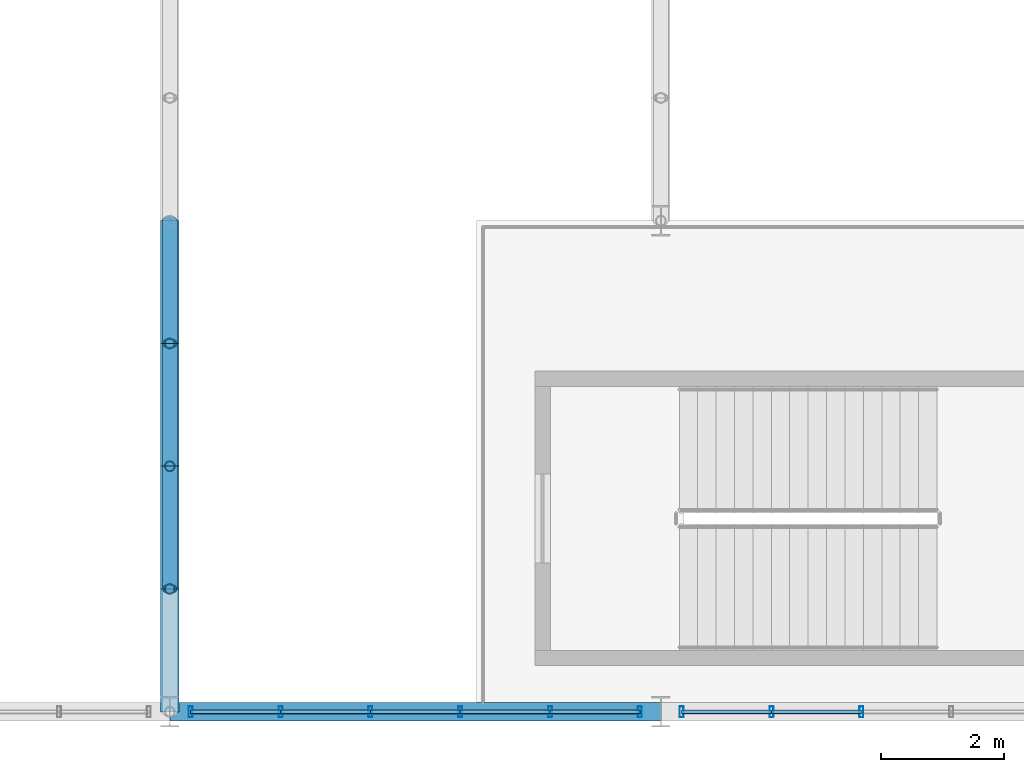
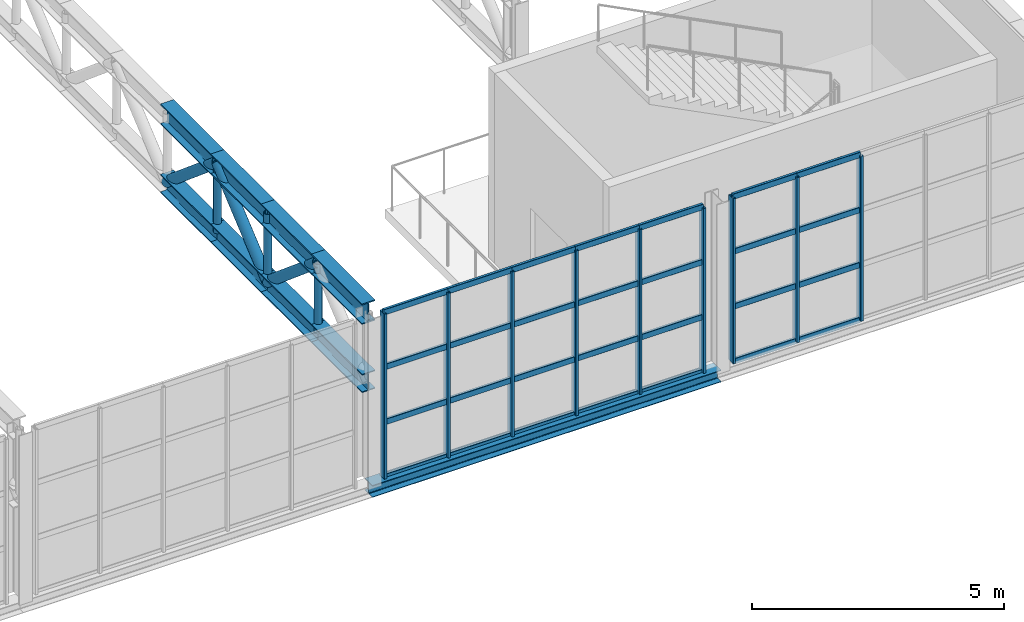
# One storey, part 21 of 67: 51 members, 1 beam, 2 elements without a shape of their own.
"""IFC4 building model written with IfcOpenShell, lengths in metres."""

import ifcopenshell
import ifcopenshell.guid

model = None  # the IFC model being written
_history = None  # IfcOwnerHistory: only IFC2X3 demands one
_inside = {}  # id of a spatial element -> (the spatial element, [elements in it])
_under = {}  # id of a project, library or spatial element -> (it, [spatial elements below it])
_declared = {}  # id of a project -> (the project, [libraries it declares])
_typed = {}  # id of a type object -> (the type object, [elements of that type])
_made_of = {}  # id of a material, layer set ... -> (it, [elements and type objects made of it])


def new_model(schema):
    """Start an empty IFC model of exactly this schema.

    Asked for "IFC4X3", IfcOpenShell would pick the latest addendum, in which some entities
    have other attributes; the version numbers below select the first issue.
    IFC2X3 requires an IfcOwnerHistory on every rooted entity: one is made here for all.
    """
    global model, _history
    if schema == "IFC4X3":
        model = ifcopenshell.file(schema_version=(4, 3, 0, 0))
    else:
        model = ifcopenshell.file(schema=schema)
    _inside.clear()
    _under.clear()
    _declared.clear()
    _typed.clear()
    _made_of.clear()
    _history = None
    if model.schema == "IFC2X3":
        org = make("IfcOrganization", Name="unknown")
        user = make(
            "IfcPersonAndOrganization",
            ThePerson=make("IfcPerson", FamilyName="unknown"),
            TheOrganization=org,
        )
        app = make(
            "IfcApplication",
            ApplicationDeveloper=org,
            Version="unknown",
            ApplicationFullName="unknown",
            ApplicationIdentifier="unknown",
        )
        _history = make(
            "IfcOwnerHistory",
            OwningUser=user,
            OwningApplication=app,
            ChangeAction="ADDED",
            CreationDate=0,
        )
    return model


def make(cls, **values):
    """One entity of the class cls with the attributes given. An attribute that is None is left unset."""
    return model.create_entity(
        cls, **{name: value for name, value in values.items() if value is not None}
    )


def rooted(cls, **values):
    """An entity with a GlobalId (a new one), such as an element, a storey or a relation."""
    return make(cls, GlobalId=ifcopenshell.guid.new(), OwnerHistory=_history, **values)


def si_unit(unit_type, name, prefix=None):
    """IfcSIUnit, for example si_unit("LENGTHUNIT", "METRE", prefix="MILLI")."""
    return make("IfcSIUnit", UnitType=unit_type, Prefix=prefix, Name=name)


def derived_unit(unit_type, elements):
    """IfcDerivedUnit: a product of units, each with its exponent."""
    return make(
        "IfcDerivedUnit",
        Elements=[
            make("IfcDerivedUnitElement", Unit=unit, Exponent=power)
            for unit, power in elements
        ],
        UnitType=unit_type,
    )


def assignment(units):
    """IfcUnitAssignment: the units of a project."""
    return None if units is None else make("IfcUnitAssignment", Units=units)


def point(xyz):
    """IfcCartesianPoint."""
    return None if xyz is None else make("IfcCartesianPoint", Coordinates=xyz)


def direction(xyz):
    """IfcDirection."""
    return None if xyz is None else make("IfcDirection", DirectionRatios=xyz)


def frame(location, z_axis=None, x_axis=None):
    """IfcAxis2Placement3D, a coordinate frame: its origin and axes. An axis left out is left unset."""
    return make(
        "IfcAxis2Placement3D",
        Location=point(location),
        Axis=direction(z_axis),
        RefDirection=direction(x_axis),
    )


def frame_2d(location, x_axis=None):
    """IfcAxis2Placement2D, a coordinate frame in the plane: its origin and x axis."""
    return make(
        "IfcAxis2Placement2D", Location=point(location), RefDirection=direction(x_axis)
    )


def origin():
    """The frame at (0, 0, 0) with its axes left unset."""
    return frame((0.0, 0.0, 0.0))


def origin_2d():
    """The frame at (0, 0) in the plane with its x axis left unset."""
    return frame_2d((0.0, 0.0))


def place(relative_to, where):
    """IfcLocalPlacement: puts the frame where relative to a parent placement (None: the world)."""
    return make(
        "IfcLocalPlacement", PlacementRelTo=relative_to, RelativePlacement=where
    )


def context(
    kind, dimensions, precision=None, world=None, true_north=None, identifier=None
):
    """IfcGeometricRepresentationContext, for example the 3D "Model" context."""
    return make(
        "IfcGeometricRepresentationContext",
        ContextIdentifier=identifier,
        ContextType=kind,
        CoordinateSpaceDimension=dimensions,
        Precision=precision,
        WorldCoordinateSystem=world,
        TrueNorth=true_north,
    )


def subcontext(parent, identifier, kind, view, scale=None):
    """IfcGeometricRepresentationSubContext, for example "Body" below "Model"."""
    return make(
        "IfcGeometricRepresentationSubContext",
        ContextIdentifier=identifier,
        ContextType=kind,
        ParentContext=parent,
        TargetScale=scale,
        TargetView=view,
    )


def project(units=None, contexts=None):
    """IfcProject with its units and contexts."""
    return rooted(
        "IfcProject",
        Name="project",
        RepresentationContexts=contexts,
        UnitsInContext=assignment(units),
    )


def spatial(cls, under=None, at=None, **own):
    """A site, building, storey or space (cls), placed at a placement, below another one or the project."""
    s = rooted(cls, ObjectPlacement=at, **own)
    if under is not None:
        _under.setdefault(under.id(), (under, []))[1].append(s)
    return s


def profile(cls, at=None, kind="AREA", **sizes):
    """A parametric profile (cls). Its sizes go by their IFC names, for example OverallWidth=200.0."""
    return make(cls, ProfileType=kind, Position=at, **sizes)


def hollow_rectangle(**sizes):
    """IfcRectangleHollowProfileDef."""
    return profile("IfcRectangleHollowProfileDef", **sizes)


def hollow_circle(**sizes):
    """IfcCircleHollowProfileDef."""
    return profile("IfcCircleHollowProfileDef", **sizes)


def i_section(**sizes):
    """IfcIShapeProfileDef."""
    return profile("IfcIShapeProfileDef", **sizes)


def extrude(swept, where, along, depth):
    """IfcExtrudedAreaSolid: the profile swept, set in the frame where, extruded along a direction by depth."""
    return make(
        "IfcExtrudedAreaSolid",
        SweptArea=swept,
        Position=where,
        ExtrudedDirection=direction(along),
        Depth=depth,
    )


def shape(context_of_items, identifier, shape_type, items):
    """IfcShapeRepresentation: the items that make up one representation, for example the "Body"."""
    return make(
        "IfcShapeRepresentation",
        ContextOfItems=context_of_items,
        RepresentationIdentifier=identifier,
        RepresentationType=shape_type,
        Items=items,
    )


def material(Name=None, Category=None):
    """IfcMaterial."""
    return make("IfcMaterial", Name=Name, Category=Category)


def material_profile(
    of_material, cross_section, Name=None, Category=None, Priority=None
):
    """IfcMaterialProfile: a cross section and its material."""
    return make(
        "IfcMaterialProfile",
        Name=Name,
        Material=of_material,
        Profile=cross_section,
        Priority=Priority,
        Category=Category,
    )


def profile_set(profiles, Name=None, composite=None):
    """IfcMaterialProfileSet."""
    return make(
        "IfcMaterialProfileSet",
        Name=Name,
        MaterialProfiles=profiles,
        CompositeProfile=composite,
    )


def made_of(thing, what):
    """Note that an element or type object is made of a material, layer set ...; save() writes the relation."""
    if what is not None:
        _made_of.setdefault(what.id(), (what, []))[1].append(thing)
    return thing


def type_object(cls, material=None, **own):
    """A type object (cls), such as IfcWallType, which elements share."""
    return made_of(rooted(cls, **own), material)


def element(
    cls,
    number,
    at=None,
    inside=None,
    cuts=None,
    type_object=None,
    material=None,
    context=None,
    identifier="Body",
    shape_type=None,
    held_by="IfcProductDefinitionShape",
    body=None,
    shapes=None,
    **own,
):
    """One element of the class cls, such as IfcWall. Its Tag is "e" and its number.

    at: its placement. inside: the storey or other place that contains it. cuts: it is an
    opening in that element (IfcRelVoidsElement). A single representation is given by context,
    identifier, shape_type and body (its items); several are given by shapes. held_by: the class
    of the entity that holds the representations. save() writes the other relations.
    """
    e = rooted(cls, Tag="e%d" % number, ObjectPlacement=at, **own)
    if body is not None:
        shapes = [shape(context, identifier, shape_type, body)]
    if shapes is not None:
        e.Representation = make(held_by, Representations=shapes)
    if inside is not None:
        _inside.setdefault(inside.id(), (inside, []))[1].append(e)
    if cuts is not None:
        rooted(
            "IfcRelVoidsElement", RelatingBuildingElement=cuts, RelatedOpeningElement=e
        )
    if type_object is not None:
        _typed.setdefault(type_object.id(), (type_object, []))[1].append(e)
    return made_of(e, material)


def aggregate(whole, parts):
    """IfcRelAggregates: a whole, such as a stair, and the parts it consists of."""
    return rooted("IfcRelAggregates", RelatingObject=whole, RelatedObjects=parts)


def save(model, path):
    """Write the relations noted so far, then the file.

    IfcRelAggregates (storeys below a building ...), IfcRelContainedInSpatialStructure (elements
    in a storey), IfcRelDefinesByType, IfcRelAssociatesMaterial and IfcRelDeclares: one each for
    every whole, place, type object, material and project.
    """
    for whole, parts in _under.values():
        aggregate(whole, parts)
    for where, things in _inside.values():
        rooted(
            "IfcRelContainedInSpatialStructure",
            RelatedElements=things,
            RelatingStructure=where,
        )
    for kind, things in _typed.values():
        rooted("IfcRelDefinesByType", RelatedObjects=things, RelatingType=kind)
    for what, things in _made_of.values():
        rooted("IfcRelAssociatesMaterial", RelatedObjects=things, RelatingMaterial=what)
    for by, libraries in _declared.values():
        rooted("IfcRelDeclares", RelatingContext=by, RelatedDefinitions=libraries)
    model.write(path)


model = new_model("IFC4")

# Units and contexts
model_context = context("Model", 3, precision=1e-05, world=origin(), true_north=direction((0.0, 1.0)))
body_context = subcontext(model_context, "Body", "Model", "MODEL_VIEW")
ifc_project = project(units=[si_unit("LENGTHUNIT", "METRE"), si_unit("AREAUNIT", "SQUARE_METRE"), si_unit("VOLUMEUNIT", "CUBIC_METRE"), si_unit("PLANEANGLEUNIT", "RADIAN"), si_unit("MASSUNIT", "GRAM", prefix="KILO"), derived_unit("THERMALTRANSMITTANCEUNIT", [(si_unit("POWERUNIT", "WATT"), 1), (si_unit("LENGTHUNIT", "METRE"), -2), (si_unit("THERMODYNAMICTEMPERATUREUNIT", "KELVIN"), -1)])], contexts=[model_context])

# Site, building, storey
site_placement = place(None, origin())
site = spatial("IfcSite", under=ifc_project, at=site_placement, CompositionType="ELEMENT")
building_placement = place(site_placement, origin())
building = spatial("IfcBuilding", under=site, at=building_placement, Name="Keldorne Ridge Multi-Sports Centre", CompositionType="ELEMENT")
storey_placement = place(building_placement, frame((0.0, 0.0, 14.0)))
storey = spatial("IfcBuildingStorey", under=building, at=storey_placement, Name="L03", CompositionType="ELEMENT", Elevation=14.0)

# Beam
ifc_material_1 = material(Name="Steel S355", Category="steel")
ifc_material_profile_1 = material_profile(ifc_material_1, i_section(OverallWidth=0.300048828125, OverallDepth=0.2900390625, WebThickness=0.008544921875, FlangeThickness=0.013916015625, FilletRadius=0.027099609375, at=origin_2d()), Name="HEA 300")
ifc_profile_set_1 = profile_set([ifc_material_profile_1], Name="Steel S355")
beam_type = type_object("IfcBeamType", Name="BM-SP-04", PredefinedType="SPANDREL", material=ifc_profile_set_1)
beam_placement = place(storey_placement, frame((152.0, 6.0, -0.14990234375), z_axis=(1.0, 0.0, 0.0), x_axis=(0.0, 1.0, 0.0)))
element("IfcBeam", 1, at=beam_placement, inside=storey, type_object=beam_type, Name="Stacked Courts spandrel L03.6.7", PredefinedType="SPANDREL", context=body_context, shape_type="SweptSolid", body=[
    extrude(i_section(OverallWidth=0.300048828125, OverallDepth=0.2900390625, WebThickness=0.008544921875, FlangeThickness=0.013916015625, FilletRadius=0.027099609375, at=origin_2d()), origin(), (0.0, 0.0, 1.0), 8.0),
])

# Curtain wall, members
ifc_material_2 = material(Name="Anodized aluminium", Category="aluminium")
curtain_wall_type_1 = type_object("IfcCurtainWallType", Name="CW-CW-07", PredefinedType="NOTDEFINED", material=ifc_material_2)
curtain_wall_1_placement = place(storey_placement, origin())
curtain_wall_1 = element("IfcCurtainWall", 2, at=curtain_wall_1_placement, inside=storey, type_object=curtain_wall_type_1, Name="Upper Courts high clerestory 127", PredefinedType="NOTDEFINED")
ifc_material_profile_2 = material_profile(ifc_material_2, hollow_rectangle(XDim=0.06494140625, YDim=0.179931640625, WallThickness=0.00439453125, InnerFilletRadius=0.00439453125, OuterFilletRadius=0.009033203125, at=origin_2d()), Name="ALU MULLION 180x65x4.5")
ifc_profile_set_2 = profile_set([ifc_material_profile_2], Name="Anodized aluminium")
member_type_1 = type_object("IfcMemberType", Name="MEM-ML-01", PredefinedType="MULLION", material=ifc_profile_set_2)
member_1_placement = place(storey_placement, frame((152.340087890625, 6.0, 0.0), z_axis=(0.0, 0.0, 1.0), x_axis=(1.0, 0.0, 0.0)))
member_1 = element("IfcMember", 3, at=member_1_placement, type_object=member_type_1, Name="CW-127 vertical mullion 1", PredefinedType="MULLION", context=body_context, shape_type="SweptSolid", body=[
    extrude(hollow_rectangle(XDim=0.06494140625, YDim=0.179931640625, WallThickness=0.00439453125, InnerFilletRadius=0.00439453125, OuterFilletRadius=0.009033203125, at=origin_2d()), origin(), (0.0, 0.0, 1.0), 4.0),
])
member_2_placement = place(storey_placement, frame((153.803955078125, 6.0, 0.0), z_axis=(0.0, 0.0, 1.0), x_axis=(1.0, 0.0, 0.0)))
member_2 = element("IfcMember", 4, at=member_2_placement, type_object=member_type_1, Name="CW-127 vertical mullion 2", PredefinedType="MULLION", context=body_context, shape_type="SweptSolid", body=[
    extrude(hollow_rectangle(XDim=0.06494140625, YDim=0.179931640625, WallThickness=0.00439453125, InnerFilletRadius=0.00439453125, OuterFilletRadius=0.009033203125, at=origin_2d()), origin(), (0.0, 0.0, 1.0), 4.0),
])
member_3_placement = place(storey_placement, frame((155.26806640625, 6.0, 0.0), z_axis=(0.0, 0.0, 1.0), x_axis=(1.0, 0.0, 0.0)))
member_3 = element("IfcMember", 5, at=member_3_placement, type_object=member_type_1, Name="CW-127 vertical mullion 3", PredefinedType="MULLION", context=body_context, shape_type="SweptSolid", body=[
    extrude(hollow_rectangle(XDim=0.06494140625, YDim=0.179931640625, WallThickness=0.00439453125, InnerFilletRadius=0.00439453125, OuterFilletRadius=0.009033203125, at=origin_2d()), origin(), (0.0, 0.0, 1.0), 4.0),
])
member_4_placement = place(storey_placement, frame((156.73193359375, 6.0, 0.0), z_axis=(0.0, 0.0, 1.0), x_axis=(1.0, 0.0, 0.0)))
member_4 = element("IfcMember", 6, at=member_4_placement, type_object=member_type_1, Name="CW-127 vertical mullion 4", PredefinedType="MULLION", context=body_context, shape_type="SweptSolid", body=[
    extrude(hollow_rectangle(XDim=0.06494140625, YDim=0.179931640625, WallThickness=0.00439453125, InnerFilletRadius=0.00439453125, OuterFilletRadius=0.009033203125, at=origin_2d()), origin(), (0.0, 0.0, 1.0), 4.0),
])
member_5_placement = place(storey_placement, frame((158.196044921875, 6.0, 0.0), z_axis=(0.0, 0.0, 1.0), x_axis=(1.0, 0.0, 0.0)))
member_5 = element("IfcMember", 7, at=member_5_placement, type_object=member_type_1, Name="CW-127 vertical mullion 5", PredefinedType="MULLION", context=body_context, shape_type="SweptSolid", body=[
    extrude(hollow_rectangle(XDim=0.06494140625, YDim=0.179931640625, WallThickness=0.00439453125, InnerFilletRadius=0.00439453125, OuterFilletRadius=0.009033203125, at=origin_2d()), origin(), (0.0, 0.0, 1.0), 4.0),
])
member_6_placement = place(storey_placement, frame((159.659912109375, 6.0, 0.0), z_axis=(0.0, 0.0, 1.0), x_axis=(1.0, 0.0, 0.0)))
member_6 = element("IfcMember", 8, at=member_6_placement, type_object=member_type_1, Name="CW-127 vertical mullion 6", PredefinedType="MULLION", context=body_context, shape_type="SweptSolid", body=[
    extrude(hollow_rectangle(XDim=0.06494140625, YDim=0.179931640625, WallThickness=0.00439453125, InnerFilletRadius=0.00439453125, OuterFilletRadius=0.009033203125, at=origin_2d()), origin(), (0.0, 0.0, 1.0), 4.0),
])

curtain_wall_type_2 = type_object("IfcCurtainWallType", Name="CW-CW-06", PredefinedType="NOTDEFINED", material=ifc_material_2)
curtain_wall_2_placement = place(storey_placement, origin())
curtain_wall_2 = element("IfcCurtainWall", 9, at=curtain_wall_2_placement, inside=storey, type_object=curtain_wall_type_2, Name="Upper Courts high clerestory 134", PredefinedType="NOTDEFINED")
member_7_placement = place(storey_placement, frame((160.340087890625, 6.0, 0.0), z_axis=(0.0, 0.0, 1.0), x_axis=(1.0, 0.0, 0.0)))
member_7 = element("IfcMember", 10, at=member_7_placement, type_object=member_type_1, Name="CW-134 vertical mullion 1", PredefinedType="MULLION", context=body_context, shape_type="SweptSolid", body=[
    extrude(hollow_rectangle(XDim=0.06494140625, YDim=0.179931640625, WallThickness=0.00439453125, InnerFilletRadius=0.00439453125, OuterFilletRadius=0.009033203125, at=origin_2d()), origin(), (0.0, 0.0, 1.0), 4.0),
])
member_8_placement = place(storey_placement, frame((161.803955078125, 6.0, 0.0), z_axis=(0.0, 0.0, 1.0), x_axis=(1.0, 0.0, 0.0)))
member_8 = element("IfcMember", 11, at=member_8_placement, type_object=member_type_1, Name="CW-134 vertical mullion 2", PredefinedType="MULLION", context=body_context, shape_type="SweptSolid", body=[
    extrude(hollow_rectangle(XDim=0.06494140625, YDim=0.179931640625, WallThickness=0.00439453125, InnerFilletRadius=0.00439453125, OuterFilletRadius=0.009033203125, at=origin_2d()), origin(), (0.0, 0.0, 1.0), 4.0),
])
member_9_placement = place(storey_placement, frame((163.26806640625, 6.0, 0.0), z_axis=(0.0, 0.0, 1.0), x_axis=(1.0, 0.0, 0.0)))
member_9 = element("IfcMember", 12, at=member_9_placement, type_object=member_type_1, Name="CW-134 vertical mullion 3", PredefinedType="MULLION", context=body_context, shape_type="SweptSolid", body=[
    extrude(hollow_rectangle(XDim=0.06494140625, YDim=0.179931640625, WallThickness=0.00439453125, InnerFilletRadius=0.00439453125, OuterFilletRadius=0.009033203125, at=origin_2d()), origin(), (0.0, 0.0, 1.0), 4.0),
])

# Members
ifc_material_profile_3 = material_profile(ifc_material_1, i_section(OverallWidth=0.300048828125, OverallDepth=0.5, WebThickness=0.014404296875, FlangeThickness=0.028076171875, FilletRadius=0.027099609375, at=origin_2d()), Name="HEB 500")
ifc_profile_set_3 = profile_set([ifc_material_profile_3], Name="Steel S355")
member_type_2 = type_object("IfcMemberType", Name="MEM-TC-03", PredefinedType="CHORD", material=ifc_profile_set_3)
for number, where, z_axis, x_axis, name in (
    (13, (152.0, 6.0, 4.110107421875), (0.0, 1.0, 0.0), (-1.0, 0.0, 0.0), "Stacked Courts Warren TRUSS WT-L04-07 top chord 1"),
    (14, (152.0, 8.0, 4.110107421875), (0.0, 1.0, 0.0), (-1.0, 0.0, 0.0), "Stacked Courts Warren TRUSS WT-L04-07 top chord 2"),
    (15, (152.0, 10.0, 4.110107421875), (0.0, 1.0, 0.0), (-1.0, 0.0, 0.0), "Stacked Courts Warren TRUSS WT-L04-07 top chord 3"),
    (16, (152.0, 12.0, 4.110107421875), (0.0, 1.0, 0.0), (-1.0, 0.0, 0.0), "Stacked Courts Warren TRUSS WT-L04-07 top chord 4"),
):
    element("IfcMember", number, at=place(storey_placement, frame(where, z_axis=z_axis, x_axis=x_axis)), inside=storey, type_object=member_type_2, Name=name, PredefinedType="CHORD", context=body_context, shape_type="SweptSolid", body=[
        extrude(i_section(OverallWidth=0.300048828125, OverallDepth=0.5, WebThickness=0.014404296875, FlangeThickness=0.028076171875, FilletRadius=0.027099609375, at=origin_2d()), origin(), (0.0, 0.0, 1.0), 2.0),
    ])
ifc_material_profile_4 = material_profile(ifc_material_1, i_section(OverallWidth=0.300048828125, OverallDepth=0.449951171875, WebThickness=0.013916015625, FlangeThickness=0.02587890625, FilletRadius=0.027099609375, at=origin_2d()), Name="HEB 450")
ifc_profile_set_4 = profile_set([ifc_material_profile_4], Name="Steel S355")
member_type_3 = type_object("IfcMemberType", Name="MEM-TC-04", PredefinedType="CHORD", material=ifc_profile_set_4)
for number, where, z_axis, x_axis, name in (
    (17, (152.0, 6.0, 2.429931640625), (0.0, 1.0, 0.0), (-1.0, 0.0, 0.0), "Stacked Courts Warren TRUSS WT-L04-07 bottom chord 1"),
    (18, (152.0, 8.0, 2.429931640625), (0.0, 1.0, 0.0), (-1.0, 0.0, 0.0), "Stacked Courts Warren TRUSS WT-L04-07 bottom chord 2"),
    (19, (152.0, 10.0, 2.429931640625), (0.0, 1.0, 0.0), (-1.0, 0.0, 0.0), "Stacked Courts Warren TRUSS WT-L04-07 bottom chord 3"),
    (20, (152.0, 12.0, 2.429931640625), (0.0, 1.0, 0.0), (-1.0, 0.0, 0.0), "Stacked Courts Warren TRUSS WT-L04-07 bottom chord 4"),
):
    element("IfcMember", number, at=place(storey_placement, frame(where, z_axis=z_axis, x_axis=x_axis)), inside=storey, type_object=member_type_3, Name=name, PredefinedType="CHORD", context=body_context, shape_type="SweptSolid", body=[
        extrude(i_section(OverallWidth=0.300048828125, OverallDepth=0.449951171875, WebThickness=0.013916015625, FlangeThickness=0.02587890625, FilletRadius=0.027099609375, at=origin_2d()), origin(), (0.0, 0.0, 1.0), 2.0),
    ])
ifc_material_profile_5 = material_profile(ifc_material_1, hollow_circle(Radius=0.122314453125, WallThickness=0.012451171875, at=origin_2d()), Name="CHS 244.5x12.5")
ifc_profile_set_5 = profile_set([ifc_material_profile_5], Name="Steel S355")
member_type_4 = type_object("IfcMemberType", Name="MEM-TD-02", PredefinedType="BRACE", material=ifc_profile_set_5)
for number, where, z_axis, x_axis, name in (
    (21, (152.0, 8.0, 4.110107421875), (0.0, 0.765671721121, -0.643231541108), (-1.0, 0.0, 0.0), "Stacked Courts Warren TRUSS WT-L04-07 diagonal 2"),
    (22, (152.0, 10.0, 2.429931640625), (0.0, 0.765671721121, 0.643231541108), (-1.0, 0.0, 0.0), "Stacked Courts Warren TRUSS WT-L04-07 diagonal 3"),
    (23, (152.0, 12.0, 4.110107421875), (0.0, 0.765671721121, -0.643231541108), (-1.0, 0.0, 0.0), "Stacked Courts Warren TRUSS WT-L04-07 diagonal 4"),
):
    element("IfcMember", number, at=place(storey_placement, frame(where, z_axis=z_axis, x_axis=x_axis)), inside=storey, type_object=member_type_4, Name=name, PredefinedType="BRACE", context=body_context, shape_type="SweptSolid", body=[
        extrude(hollow_circle(Radius=0.122314453125, WallThickness=0.012451171875, at=origin_2d()), origin(), (0.0, 0.0, 1.0), 2.612060546875),
    ])

# Member
ifc_material_profile_6 = material_profile(ifc_material_2, hollow_rectangle(XDim=0.06494140625, YDim=0.139892578125, WallThickness=0.00439453125, InnerFilletRadius=0.00439453125, OuterFilletRadius=0.009033203125, at=origin_2d()), Name="ALU TRANSOM 140x65x4.5")
ifc_profile_set_6 = profile_set([ifc_material_profile_6], Name="Anodized aluminium")
member_type_5 = type_object("IfcMemberType", Name="MEM-TR-01", PredefinedType="USERDEFINED", material=ifc_profile_set_6)
member_10_placement = place(storey_placement, frame((152.340087890625, 6.0, 0.0), z_axis=(1.0, 0.0, 0.0), x_axis=(0.0, 1.0, 0.0)))
member_10 = element("IfcMember", 24, at=member_10_placement, type_object=member_type_5, Name="CW-127 transom 1.1", ObjectType="TRANSOM", PredefinedType="USERDEFINED", context=body_context, shape_type="SweptSolid", body=[
    extrude(hollow_rectangle(XDim=0.06494140625, YDim=0.139892578125, WallThickness=0.00439453125, InnerFilletRadius=0.00439453125, OuterFilletRadius=0.009033203125, at=origin_2d()), origin(), (0.0, 0.0, 1.0), 1.4638671875),
])

member_11_placement = place(storey_placement, frame((152.340087890625, 6.0, 1.333251953125), z_axis=(1.0, 0.0, 0.0), x_axis=(0.0, 1.0, 0.0)))
member_11 = element("IfcMember", 25, at=member_11_placement, type_object=member_type_5, Name="CW-127 transom 1.2", ObjectType="TRANSOM", PredefinedType="USERDEFINED", context=body_context, shape_type="SweptSolid", body=[
    extrude(hollow_rectangle(XDim=0.06494140625, YDim=0.139892578125, WallThickness=0.00439453125, InnerFilletRadius=0.00439453125, OuterFilletRadius=0.009033203125, at=origin_2d()), origin(), (0.0, 0.0, 1.0), 1.4638671875),
])

member_12_placement = place(storey_placement, frame((152.340087890625, 6.0, 2.666748046875), z_axis=(1.0, 0.0, 0.0), x_axis=(0.0, 1.0, 0.0)))
member_12 = element("IfcMember", 26, at=member_12_placement, type_object=member_type_5, Name="CW-127 transom 1.3", ObjectType="TRANSOM", PredefinedType="USERDEFINED", context=body_context, shape_type="SweptSolid", body=[
    extrude(hollow_rectangle(XDim=0.06494140625, YDim=0.139892578125, WallThickness=0.00439453125, InnerFilletRadius=0.00439453125, OuterFilletRadius=0.009033203125, at=origin_2d()), origin(), (0.0, 0.0, 1.0), 1.4638671875),
])

member_13_placement = place(storey_placement, frame((152.340087890625, 6.0, 4.0), z_axis=(1.0, 0.0, 0.0), x_axis=(0.0, 1.0, 0.0)))
member_13 = element("IfcMember", 27, at=member_13_placement, type_object=member_type_5, Name="CW-127 transom 1.4", ObjectType="TRANSOM", PredefinedType="USERDEFINED", context=body_context, shape_type="SweptSolid", body=[
    extrude(hollow_rectangle(XDim=0.06494140625, YDim=0.139892578125, WallThickness=0.00439453125, InnerFilletRadius=0.00439453125, OuterFilletRadius=0.009033203125, at=origin_2d()), origin(), (0.0, 0.0, 1.0), 1.4638671875),
])

member_14_placement = place(storey_placement, frame((153.803955078125, 6.0, 0.0), z_axis=(1.0, 0.0, 0.0), x_axis=(0.0, 1.0, 0.0)))
member_14 = element("IfcMember", 28, at=member_14_placement, type_object=member_type_5, Name="CW-127 transom 2.1", ObjectType="TRANSOM", PredefinedType="USERDEFINED", context=body_context, shape_type="SweptSolid", body=[
    extrude(hollow_rectangle(XDim=0.06494140625, YDim=0.139892578125, WallThickness=0.00439453125, InnerFilletRadius=0.00439453125, OuterFilletRadius=0.009033203125, at=origin_2d()), origin(), (0.0, 0.0, 1.0), 1.464111328125),
])

member_15_placement = place(storey_placement, frame((153.803955078125, 6.0, 1.333251953125), z_axis=(1.0, 0.0, 0.0), x_axis=(0.0, 1.0, 0.0)))
member_15 = element("IfcMember", 29, at=member_15_placement, type_object=member_type_5, Name="CW-127 transom 2.2", ObjectType="TRANSOM", PredefinedType="USERDEFINED", context=body_context, shape_type="SweptSolid", body=[
    extrude(hollow_rectangle(XDim=0.06494140625, YDim=0.139892578125, WallThickness=0.00439453125, InnerFilletRadius=0.00439453125, OuterFilletRadius=0.009033203125, at=origin_2d()), origin(), (0.0, 0.0, 1.0), 1.464111328125),
])

member_16_placement = place(storey_placement, frame((153.803955078125, 6.0, 2.666748046875), z_axis=(1.0, 0.0, 0.0), x_axis=(0.0, 1.0, 0.0)))
member_16 = element("IfcMember", 30, at=member_16_placement, type_object=member_type_5, Name="CW-127 transom 2.3", ObjectType="TRANSOM", PredefinedType="USERDEFINED", context=body_context, shape_type="SweptSolid", body=[
    extrude(hollow_rectangle(XDim=0.06494140625, YDim=0.139892578125, WallThickness=0.00439453125, InnerFilletRadius=0.00439453125, OuterFilletRadius=0.009033203125, at=origin_2d()), origin(), (0.0, 0.0, 1.0), 1.464111328125),
])

member_17_placement = place(storey_placement, frame((153.803955078125, 6.0, 4.0), z_axis=(1.0, 0.0, 0.0), x_axis=(0.0, 1.0, 0.0)))
member_17 = element("IfcMember", 31, at=member_17_placement, type_object=member_type_5, Name="CW-127 transom 2.4", ObjectType="TRANSOM", PredefinedType="USERDEFINED", context=body_context, shape_type="SweptSolid", body=[
    extrude(hollow_rectangle(XDim=0.06494140625, YDim=0.139892578125, WallThickness=0.00439453125, InnerFilletRadius=0.00439453125, OuterFilletRadius=0.009033203125, at=origin_2d()), origin(), (0.0, 0.0, 1.0), 1.464111328125),
])

member_18_placement = place(storey_placement, frame((155.26806640625, 6.0, 0.0), z_axis=(1.0, 0.0, 0.0), x_axis=(0.0, 1.0, 0.0)))
member_18 = element("IfcMember", 32, at=member_18_placement, type_object=member_type_5, Name="CW-127 transom 3.1", ObjectType="TRANSOM", PredefinedType="USERDEFINED", context=body_context, shape_type="SweptSolid", body=[
    extrude(hollow_rectangle(XDim=0.06494140625, YDim=0.139892578125, WallThickness=0.00439453125, InnerFilletRadius=0.00439453125, OuterFilletRadius=0.009033203125, at=origin_2d()), origin(), (0.0, 0.0, 1.0), 1.4638671875),
])

member_19_placement = place(storey_placement, frame((155.26806640625, 6.0, 1.333251953125), z_axis=(1.0, 0.0, 0.0), x_axis=(0.0, 1.0, 0.0)))
member_19 = element("IfcMember", 33, at=member_19_placement, type_object=member_type_5, Name="CW-127 transom 3.2", ObjectType="TRANSOM", PredefinedType="USERDEFINED", context=body_context, shape_type="SweptSolid", body=[
    extrude(hollow_rectangle(XDim=0.06494140625, YDim=0.139892578125, WallThickness=0.00439453125, InnerFilletRadius=0.00439453125, OuterFilletRadius=0.009033203125, at=origin_2d()), origin(), (0.0, 0.0, 1.0), 1.4638671875),
])

member_20_placement = place(storey_placement, frame((155.26806640625, 6.0, 2.666748046875), z_axis=(1.0, 0.0, 0.0), x_axis=(0.0, 1.0, 0.0)))
member_20 = element("IfcMember", 34, at=member_20_placement, type_object=member_type_5, Name="CW-127 transom 3.3", ObjectType="TRANSOM", PredefinedType="USERDEFINED", context=body_context, shape_type="SweptSolid", body=[
    extrude(hollow_rectangle(XDim=0.06494140625, YDim=0.139892578125, WallThickness=0.00439453125, InnerFilletRadius=0.00439453125, OuterFilletRadius=0.009033203125, at=origin_2d()), origin(), (0.0, 0.0, 1.0), 1.4638671875),
])

member_21_placement = place(storey_placement, frame((155.26806640625, 6.0, 4.0), z_axis=(1.0, 0.0, 0.0), x_axis=(0.0, 1.0, 0.0)))
member_21 = element("IfcMember", 35, at=member_21_placement, type_object=member_type_5, Name="CW-127 transom 3.4", ObjectType="TRANSOM", PredefinedType="USERDEFINED", context=body_context, shape_type="SweptSolid", body=[
    extrude(hollow_rectangle(XDim=0.06494140625, YDim=0.139892578125, WallThickness=0.00439453125, InnerFilletRadius=0.00439453125, OuterFilletRadius=0.009033203125, at=origin_2d()), origin(), (0.0, 0.0, 1.0), 1.4638671875),
])

member_22_placement = place(storey_placement, frame((156.73193359375, 6.0, 0.0), z_axis=(1.0, 0.0, 0.0), x_axis=(0.0, 1.0, 0.0)))
member_22 = element("IfcMember", 36, at=member_22_placement, type_object=member_type_5, Name="CW-127 transom 4.1", ObjectType="TRANSOM", PredefinedType="USERDEFINED", context=body_context, shape_type="SweptSolid", body=[
    extrude(hollow_rectangle(XDim=0.06494140625, YDim=0.139892578125, WallThickness=0.00439453125, InnerFilletRadius=0.00439453125, OuterFilletRadius=0.009033203125, at=origin_2d()), origin(), (0.0, 0.0, 1.0), 1.464111328125),
])

member_23_placement = place(storey_placement, frame((156.73193359375, 6.0, 1.333251953125), z_axis=(1.0, 0.0, 0.0), x_axis=(0.0, 1.0, 0.0)))
member_23 = element("IfcMember", 37, at=member_23_placement, type_object=member_type_5, Name="CW-127 transom 4.2", ObjectType="TRANSOM", PredefinedType="USERDEFINED", context=body_context, shape_type="SweptSolid", body=[
    extrude(hollow_rectangle(XDim=0.06494140625, YDim=0.139892578125, WallThickness=0.00439453125, InnerFilletRadius=0.00439453125, OuterFilletRadius=0.009033203125, at=origin_2d()), origin(), (0.0, 0.0, 1.0), 1.464111328125),
])

member_24_placement = place(storey_placement, frame((156.73193359375, 6.0, 2.666748046875), z_axis=(1.0, 0.0, 0.0), x_axis=(0.0, 1.0, 0.0)))
member_24 = element("IfcMember", 38, at=member_24_placement, type_object=member_type_5, Name="CW-127 transom 4.3", ObjectType="TRANSOM", PredefinedType="USERDEFINED", context=body_context, shape_type="SweptSolid", body=[
    extrude(hollow_rectangle(XDim=0.06494140625, YDim=0.139892578125, WallThickness=0.00439453125, InnerFilletRadius=0.00439453125, OuterFilletRadius=0.009033203125, at=origin_2d()), origin(), (0.0, 0.0, 1.0), 1.464111328125),
])

member_25_placement = place(storey_placement, frame((156.73193359375, 6.0, 4.0), z_axis=(1.0, 0.0, 0.0), x_axis=(0.0, 1.0, 0.0)))
member_25 = element("IfcMember", 39, at=member_25_placement, type_object=member_type_5, Name="CW-127 transom 4.4", ObjectType="TRANSOM", PredefinedType="USERDEFINED", context=body_context, shape_type="SweptSolid", body=[
    extrude(hollow_rectangle(XDim=0.06494140625, YDim=0.139892578125, WallThickness=0.00439453125, InnerFilletRadius=0.00439453125, OuterFilletRadius=0.009033203125, at=origin_2d()), origin(), (0.0, 0.0, 1.0), 1.464111328125),
])

member_26_placement = place(storey_placement, frame((158.196044921875, 6.0, 0.0), z_axis=(1.0, 0.0, 0.0), x_axis=(0.0, 1.0, 0.0)))
member_26 = element("IfcMember", 40, at=member_26_placement, type_object=member_type_5, Name="CW-127 transom 5.1", ObjectType="TRANSOM", PredefinedType="USERDEFINED", context=body_context, shape_type="SweptSolid", body=[
    extrude(hollow_rectangle(XDim=0.06494140625, YDim=0.139892578125, WallThickness=0.00439453125, InnerFilletRadius=0.00439453125, OuterFilletRadius=0.009033203125, at=origin_2d()), origin(), (0.0, 0.0, 1.0), 1.4638671875),
])

member_27_placement = place(storey_placement, frame((158.196044921875, 6.0, 1.333251953125), z_axis=(1.0, 0.0, 0.0), x_axis=(0.0, 1.0, 0.0)))
member_27 = element("IfcMember", 41, at=member_27_placement, type_object=member_type_5, Name="CW-127 transom 5.2", ObjectType="TRANSOM", PredefinedType="USERDEFINED", context=body_context, shape_type="SweptSolid", body=[
    extrude(hollow_rectangle(XDim=0.06494140625, YDim=0.139892578125, WallThickness=0.00439453125, InnerFilletRadius=0.00439453125, OuterFilletRadius=0.009033203125, at=origin_2d()), origin(), (0.0, 0.0, 1.0), 1.4638671875),
])

member_28_placement = place(storey_placement, frame((158.196044921875, 6.0, 2.666748046875), z_axis=(1.0, 0.0, 0.0), x_axis=(0.0, 1.0, 0.0)))
member_28 = element("IfcMember", 42, at=member_28_placement, type_object=member_type_5, Name="CW-127 transom 5.3", ObjectType="TRANSOM", PredefinedType="USERDEFINED", context=body_context, shape_type="SweptSolid", body=[
    extrude(hollow_rectangle(XDim=0.06494140625, YDim=0.139892578125, WallThickness=0.00439453125, InnerFilletRadius=0.00439453125, OuterFilletRadius=0.009033203125, at=origin_2d()), origin(), (0.0, 0.0, 1.0), 1.4638671875),
])

member_29_placement = place(storey_placement, frame((158.196044921875, 6.0, 4.0), z_axis=(1.0, 0.0, 0.0), x_axis=(0.0, 1.0, 0.0)))
member_29 = element("IfcMember", 43, at=member_29_placement, type_object=member_type_5, Name="CW-127 transom 5.4", ObjectType="TRANSOM", PredefinedType="USERDEFINED", context=body_context, shape_type="SweptSolid", body=[
    extrude(hollow_rectangle(XDim=0.06494140625, YDim=0.139892578125, WallThickness=0.00439453125, InnerFilletRadius=0.00439453125, OuterFilletRadius=0.009033203125, at=origin_2d()), origin(), (0.0, 0.0, 1.0), 1.4638671875),
])

aggregate(curtain_wall_1, [member_1, member_2, member_3, member_4, member_5, member_6, member_10, member_11, member_12, member_13, member_14, member_15, member_16, member_17, member_18, member_19, member_20, member_21, member_22, member_23, member_24, member_25, member_26, member_27, member_28, member_29])

member_30_placement = place(storey_placement, frame((160.340087890625, 6.0, 0.0), z_axis=(1.0, 0.0, 0.0), x_axis=(0.0, 1.0, 0.0)))
member_30 = element("IfcMember", 44, at=member_30_placement, type_object=member_type_5, Name="CW-134 transom 1.1", ObjectType="TRANSOM", PredefinedType="USERDEFINED", context=body_context, shape_type="SweptSolid", body=[
    extrude(hollow_rectangle(XDim=0.06494140625, YDim=0.139892578125, WallThickness=0.00439453125, InnerFilletRadius=0.00439453125, OuterFilletRadius=0.009033203125, at=origin_2d()), origin(), (0.0, 0.0, 1.0), 1.4638671875),
])

member_31_placement = place(storey_placement, frame((160.340087890625, 6.0, 1.333251953125), z_axis=(1.0, 0.0, 0.0), x_axis=(0.0, 1.0, 0.0)))
member_31 = element("IfcMember", 45, at=member_31_placement, type_object=member_type_5, Name="CW-134 transom 1.2", ObjectType="TRANSOM", PredefinedType="USERDEFINED", context=body_context, shape_type="SweptSolid", body=[
    extrude(hollow_rectangle(XDim=0.06494140625, YDim=0.139892578125, WallThickness=0.00439453125, InnerFilletRadius=0.00439453125, OuterFilletRadius=0.009033203125, at=origin_2d()), origin(), (0.0, 0.0, 1.0), 1.4638671875),
])

member_32_placement = place(storey_placement, frame((160.340087890625, 6.0, 2.666748046875), z_axis=(1.0, 0.0, 0.0), x_axis=(0.0, 1.0, 0.0)))
member_32 = element("IfcMember", 46, at=member_32_placement, type_object=member_type_5, Name="CW-134 transom 1.3", ObjectType="TRANSOM", PredefinedType="USERDEFINED", context=body_context, shape_type="SweptSolid", body=[
    extrude(hollow_rectangle(XDim=0.06494140625, YDim=0.139892578125, WallThickness=0.00439453125, InnerFilletRadius=0.00439453125, OuterFilletRadius=0.009033203125, at=origin_2d()), origin(), (0.0, 0.0, 1.0), 1.4638671875),
])

member_33_placement = place(storey_placement, frame((160.340087890625, 6.0, 4.0), z_axis=(1.0, 0.0, 0.0), x_axis=(0.0, 1.0, 0.0)))
member_33 = element("IfcMember", 47, at=member_33_placement, type_object=member_type_5, Name="CW-134 transom 1.4", ObjectType="TRANSOM", PredefinedType="USERDEFINED", context=body_context, shape_type="SweptSolid", body=[
    extrude(hollow_rectangle(XDim=0.06494140625, YDim=0.139892578125, WallThickness=0.00439453125, InnerFilletRadius=0.00439453125, OuterFilletRadius=0.009033203125, at=origin_2d()), origin(), (0.0, 0.0, 1.0), 1.4638671875),
])

member_34_placement = place(storey_placement, frame((161.803955078125, 6.0, 0.0), z_axis=(1.0, 0.0, 0.0), x_axis=(0.0, 1.0, 0.0)))
member_34 = element("IfcMember", 48, at=member_34_placement, type_object=member_type_5, Name="CW-134 transom 2.1", ObjectType="TRANSOM", PredefinedType="USERDEFINED", context=body_context, shape_type="SweptSolid", body=[
    extrude(hollow_rectangle(XDim=0.06494140625, YDim=0.139892578125, WallThickness=0.00439453125, InnerFilletRadius=0.00439453125, OuterFilletRadius=0.009033203125, at=origin_2d()), origin(), (0.0, 0.0, 1.0), 1.464111328125),
])

member_35_placement = place(storey_placement, frame((161.803955078125, 6.0, 1.333251953125), z_axis=(1.0, 0.0, 0.0), x_axis=(0.0, 1.0, 0.0)))
member_35 = element("IfcMember", 49, at=member_35_placement, type_object=member_type_5, Name="CW-134 transom 2.2", ObjectType="TRANSOM", PredefinedType="USERDEFINED", context=body_context, shape_type="SweptSolid", body=[
    extrude(hollow_rectangle(XDim=0.06494140625, YDim=0.139892578125, WallThickness=0.00439453125, InnerFilletRadius=0.00439453125, OuterFilletRadius=0.009033203125, at=origin_2d()), origin(), (0.0, 0.0, 1.0), 1.464111328125),
])

member_36_placement = place(storey_placement, frame((161.803955078125, 6.0, 2.666748046875), z_axis=(1.0, 0.0, 0.0), x_axis=(0.0, 1.0, 0.0)))
member_36 = element("IfcMember", 50, at=member_36_placement, type_object=member_type_5, Name="CW-134 transom 2.3", ObjectType="TRANSOM", PredefinedType="USERDEFINED", context=body_context, shape_type="SweptSolid", body=[
    extrude(hollow_rectangle(XDim=0.06494140625, YDim=0.139892578125, WallThickness=0.00439453125, InnerFilletRadius=0.00439453125, OuterFilletRadius=0.009033203125, at=origin_2d()), origin(), (0.0, 0.0, 1.0), 1.464111328125),
])

member_37_placement = place(storey_placement, frame((161.803955078125, 6.0, 4.0), z_axis=(1.0, 0.0, 0.0), x_axis=(0.0, 1.0, 0.0)))
member_37 = element("IfcMember", 51, at=member_37_placement, type_object=member_type_5, Name="CW-134 transom 2.4", ObjectType="TRANSOM", PredefinedType="USERDEFINED", context=body_context, shape_type="SweptSolid", body=[
    extrude(hollow_rectangle(XDim=0.06494140625, YDim=0.139892578125, WallThickness=0.00439453125, InnerFilletRadius=0.00439453125, OuterFilletRadius=0.009033203125, at=origin_2d()), origin(), (0.0, 0.0, 1.0), 1.464111328125),
])

aggregate(curtain_wall_2, [member_7, member_8, member_9, member_30, member_31, member_32, member_33, member_34, member_35, member_36, member_37])

# Members
ifc_material_profile_7 = material_profile(ifc_material_1, hollow_circle(Radius=0.084228515625, WallThickness=0.010009765625, at=origin_2d()), Name="CHS 168.3x10")
ifc_profile_set_7 = profile_set([ifc_material_profile_7], Name="Steel S355")
member_type_6 = type_object("IfcMemberType", Name="MEM-TV-01", PredefinedType="STRUT", material=ifc_profile_set_7)
for number, where, z_axis, x_axis, name in (
    (52, (152.0, 8.0, 2.429931640625), (0.0, 0.0, 1.0), (1.0, 0.0, 0.0), "Stacked Courts Warren TRUSS WT-L04-07 post 2"),
    (53, (152.0, 10.0, 2.429931640625), (0.0, 0.0, 1.0), (1.0, 0.0, 0.0), "Stacked Courts Warren TRUSS WT-L04-07 post 3"),
    (54, (152.0, 12.0, 2.429931640625), (0.0, 0.0, 1.0), (1.0, 0.0, 0.0), "Stacked Courts Warren TRUSS WT-L04-07 post 4"),
):
    element("IfcMember", number, at=place(storey_placement, frame(where, z_axis=z_axis, x_axis=x_axis)), inside=storey, type_object=member_type_6, Name=name, PredefinedType="STRUT", context=body_context, shape_type="SweptSolid", body=[
        extrude(hollow_circle(Radius=0.084228515625, WallThickness=0.010009765625, at=origin_2d()), origin(), (0.0, 0.0, 1.0), 1.68017578125),
    ])

save(model, "model.ifc")
